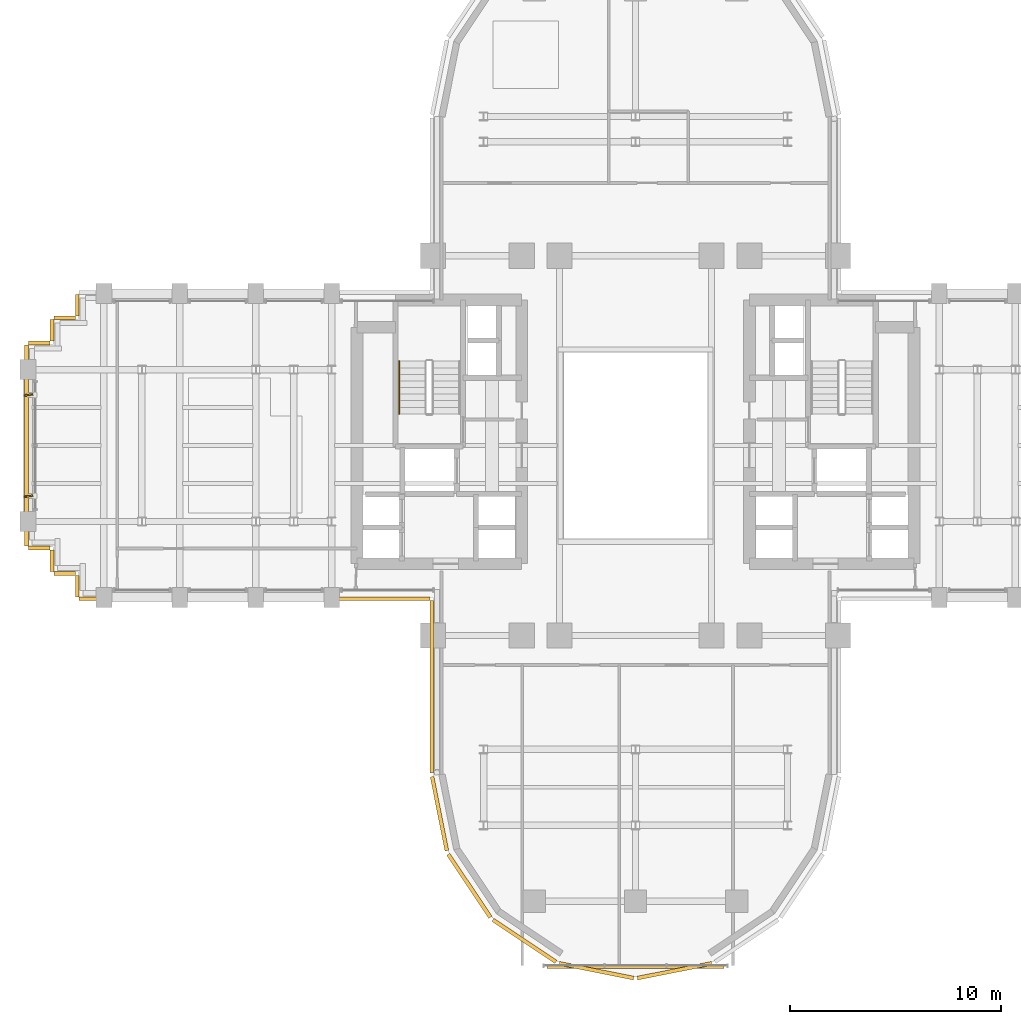
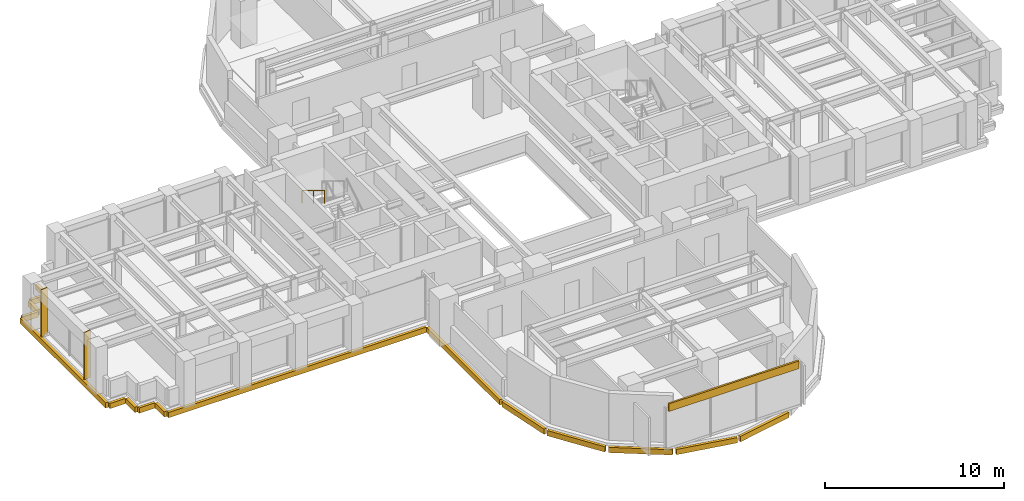
# One storey, part 13 of 16: 17 coverings, 2 shading devices, 1 railing.
"""IFC4 building model written with IfcOpenShell, lengths in metres."""

import ifcopenshell
import ifcopenshell.guid

model = None  # the IFC model being written
_history = None  # IfcOwnerHistory: only IFC2X3 demands one
_inside = {}  # id of a spatial element -> (the spatial element, [elements in it])
_under = {}  # id of a project, library or spatial element -> (it, [spatial elements below it])
_declared = {}  # id of a project -> (the project, [libraries it declares])
_typed = {}  # id of a type object -> (the type object, [elements of that type])
_made_of = {}  # id of a material, layer set ... -> (it, [elements and type objects made of it])


def new_model(schema):
    """Start an empty IFC model of exactly this schema.

    Asked for "IFC4X3", IfcOpenShell would pick the latest addendum, in which some entities
    have other attributes; the version numbers below select the first issue.
    IFC2X3 requires an IfcOwnerHistory on every rooted entity: one is made here for all.
    """
    global model, _history
    if schema == "IFC4X3":
        model = ifcopenshell.file(schema_version=(4, 3, 0, 0))
    else:
        model = ifcopenshell.file(schema=schema)
    _inside.clear()
    _under.clear()
    _declared.clear()
    _typed.clear()
    _made_of.clear()
    _history = None
    if model.schema == "IFC2X3":
        org = make("IfcOrganization", Name="unknown")
        user = make(
            "IfcPersonAndOrganization",
            ThePerson=make("IfcPerson", FamilyName="unknown"),
            TheOrganization=org,
        )
        app = make(
            "IfcApplication",
            ApplicationDeveloper=org,
            Version="unknown",
            ApplicationFullName="unknown",
            ApplicationIdentifier="unknown",
        )
        _history = make(
            "IfcOwnerHistory",
            OwningUser=user,
            OwningApplication=app,
            ChangeAction="ADDED",
            CreationDate=0,
        )
    return model


def make(cls, **values):
    """One entity of the class cls with the attributes given. An attribute that is None is left unset."""
    return model.create_entity(
        cls, **{name: value for name, value in values.items() if value is not None}
    )


def rooted(cls, **values):
    """An entity with a GlobalId (a new one), such as an element, a storey or a relation."""
    return make(cls, GlobalId=ifcopenshell.guid.new(), OwnerHistory=_history, **values)


def si_unit(unit_type, name, prefix=None):
    """IfcSIUnit, for example si_unit("LENGTHUNIT", "METRE", prefix="MILLI")."""
    return make("IfcSIUnit", UnitType=unit_type, Prefix=prefix, Name=name)


def assignment(units):
    """IfcUnitAssignment: the units of a project."""
    return None if units is None else make("IfcUnitAssignment", Units=units)


def point(xyz):
    """IfcCartesianPoint."""
    return None if xyz is None else make("IfcCartesianPoint", Coordinates=xyz)


def direction(xyz):
    """IfcDirection."""
    return None if xyz is None else make("IfcDirection", DirectionRatios=xyz)


def frame(location, z_axis=None, x_axis=None):
    """IfcAxis2Placement3D, a coordinate frame: its origin and axes. An axis left out is left unset."""
    return make(
        "IfcAxis2Placement3D",
        Location=point(location),
        Axis=direction(z_axis),
        RefDirection=direction(x_axis),
    )


def frame_2d(location, x_axis=None):
    """IfcAxis2Placement2D, a coordinate frame in the plane: its origin and x axis."""
    return make(
        "IfcAxis2Placement2D", Location=point(location), RefDirection=direction(x_axis)
    )


def origin():
    """The frame at (0, 0, 0) with its axes left unset."""
    return frame((0.0, 0.0, 0.0))


def origin_2d():
    """The frame at (0, 0) in the plane with its x axis left unset."""
    return frame_2d((0.0, 0.0))


def place(relative_to, where):
    """IfcLocalPlacement: puts the frame where relative to a parent placement (None: the world)."""
    return make(
        "IfcLocalPlacement", PlacementRelTo=relative_to, RelativePlacement=where
    )


def context(
    kind, dimensions, precision=None, world=None, true_north=None, identifier=None
):
    """IfcGeometricRepresentationContext, for example the 3D "Model" context."""
    return make(
        "IfcGeometricRepresentationContext",
        ContextIdentifier=identifier,
        ContextType=kind,
        CoordinateSpaceDimension=dimensions,
        Precision=precision,
        WorldCoordinateSystem=world,
        TrueNorth=true_north,
    )


def subcontext(parent, identifier, kind, view, scale=None):
    """IfcGeometricRepresentationSubContext, for example "Body" below "Model"."""
    return make(
        "IfcGeometricRepresentationSubContext",
        ContextIdentifier=identifier,
        ContextType=kind,
        ParentContext=parent,
        TargetScale=scale,
        TargetView=view,
    )


def project(units=None, contexts=None):
    """IfcProject with its units and contexts."""
    return rooted(
        "IfcProject",
        Name="project",
        RepresentationContexts=contexts,
        UnitsInContext=assignment(units),
    )


def spatial(cls, under=None, at=None, **own):
    """A site, building, storey or space (cls), placed at a placement, below another one or the project."""
    s = rooted(cls, ObjectPlacement=at, **own)
    if under is not None:
        _under.setdefault(under.id(), (under, []))[1].append(s)
    return s


def profile(cls, at=None, kind="AREA", **sizes):
    """A parametric profile (cls). Its sizes go by their IFC names, for example OverallWidth=200.0."""
    return make(cls, ProfileType=kind, Position=at, **sizes)


def rectangle(**sizes):
    """IfcRectangleProfileDef."""
    return profile("IfcRectangleProfileDef", **sizes)


def extrude(swept, where, along, depth):
    """IfcExtrudedAreaSolid: the profile swept, set in the frame where, extruded along a direction by depth."""
    return make(
        "IfcExtrudedAreaSolid",
        SweptArea=swept,
        Position=where,
        ExtrudedDirection=direction(along),
        Depth=depth,
    )


def shape(context_of_items, identifier, shape_type, items):
    """IfcShapeRepresentation: the items that make up one representation, for example the "Body"."""
    return make(
        "IfcShapeRepresentation",
        ContextOfItems=context_of_items,
        RepresentationIdentifier=identifier,
        RepresentationType=shape_type,
        Items=items,
    )


def source(mapping_origin, context_of_items, identifier, shape_type, items):
    """IfcRepresentationMap: a shape defined once, which mapped items show again and again."""
    return make(
        "IfcRepresentationMap",
        MappingOrigin=mapping_origin,
        MappedRepresentation=shape(context_of_items, identifier, shape_type, items),
    )


def transform(
    local_origin,
    x_axis=None,
    y_axis=None,
    z_axis=None,
    scale=None,
    scale2=None,
    scale3=None,
    uniform=True,
):
    """IfcCartesianTransformationOperator3D, or its non-uniform kind. x_axis, y_axis, z_axis: its Axis1, 2, 3."""
    if uniform:
        return make(
            "IfcCartesianTransformationOperator3D",
            Axis1=direction(x_axis),
            Axis2=direction(y_axis),
            LocalOrigin=point(local_origin),
            Scale=scale,
            Axis3=direction(z_axis),
        )
    return make(
        "IfcCartesianTransformationOperator3DnonUniform",
        Axis1=direction(x_axis),
        Axis2=direction(y_axis),
        LocalOrigin=point(local_origin),
        Scale=scale,
        Axis3=direction(z_axis),
        Scale2=scale2,
        Scale3=scale3,
    )


def mapped(mapping_source, mapping_target):
    """IfcMappedItem: shows the shape of a source again, moved by a transform."""
    return make(
        "IfcMappedItem", MappingSource=mapping_source, MappingTarget=mapping_target
    )


def material(Name=None, Category=None):
    """IfcMaterial."""
    return make("IfcMaterial", Name=Name, Category=Category)


def layer(
    of_material, thickness, ventilated=None, Name=None, Category=None, Priority=None
):
    """IfcMaterialLayer: one layer of a wall or slab, of a material (None: an air gap)."""
    return make(
        "IfcMaterialLayer",
        Material=of_material,
        LayerThickness=thickness,
        IsVentilated=ventilated,
        Name=Name,
        Category=Category,
        Priority=Priority,
    )


def layer_set(layers, Name=None):
    """IfcMaterialLayerSet."""
    return make("IfcMaterialLayerSet", MaterialLayers=layers, LayerSetName=Name)


def made_of(thing, what):
    """Note that an element or type object is made of a material, layer set ...; save() writes the relation."""
    if what is not None:
        _made_of.setdefault(what.id(), (what, []))[1].append(thing)
    return thing


def type_object(cls, material=None, **own):
    """A type object (cls), such as IfcWallType, which elements share."""
    return made_of(rooted(cls, **own), material)


def element(
    cls,
    number,
    at=None,
    inside=None,
    cuts=None,
    type_object=None,
    material=None,
    context=None,
    identifier="Body",
    shape_type=None,
    held_by="IfcProductDefinitionShape",
    body=None,
    shapes=None,
    **own,
):
    """One element of the class cls, such as IfcWall. Its Tag is "e" and its number.

    at: its placement. inside: the storey or other place that contains it. cuts: it is an
    opening in that element (IfcRelVoidsElement). A single representation is given by context,
    identifier, shape_type and body (its items); several are given by shapes. held_by: the class
    of the entity that holds the representations. save() writes the other relations.
    """
    e = rooted(cls, Tag="e%d" % number, ObjectPlacement=at, **own)
    if body is not None:
        shapes = [shape(context, identifier, shape_type, body)]
    if shapes is not None:
        e.Representation = make(held_by, Representations=shapes)
    if inside is not None:
        _inside.setdefault(inside.id(), (inside, []))[1].append(e)
    if cuts is not None:
        rooted(
            "IfcRelVoidsElement", RelatingBuildingElement=cuts, RelatedOpeningElement=e
        )
    if type_object is not None:
        _typed.setdefault(type_object.id(), (type_object, []))[1].append(e)
    return made_of(e, material)


def aggregate(whole, parts):
    """IfcRelAggregates: a whole, such as a stair, and the parts it consists of."""
    return rooted("IfcRelAggregates", RelatingObject=whole, RelatedObjects=parts)


def save(model, path):
    """Write the relations noted so far, then the file.

    IfcRelAggregates (storeys below a building ...), IfcRelContainedInSpatialStructure (elements
    in a storey), IfcRelDefinesByType, IfcRelAssociatesMaterial and IfcRelDeclares: one each for
    every whole, place, type object, material and project.
    """
    for whole, parts in _under.values():
        aggregate(whole, parts)
    for where, things in _inside.values():
        rooted(
            "IfcRelContainedInSpatialStructure",
            RelatedElements=things,
            RelatingStructure=where,
        )
    for kind, things in _typed.values():
        rooted("IfcRelDefinesByType", RelatedObjects=things, RelatingType=kind)
    for what, things in _made_of.values():
        rooted("IfcRelAssociatesMaterial", RelatedObjects=things, RelatingMaterial=what)
    for by, libraries in _declared.values():
        rooted("IfcRelDeclares", RelatingContext=by, RelatedDefinitions=libraries)
    model.write(path)


model = new_model("IFC4")

# Units and contexts
model_context = context("Model", 3, precision=1e-05, world=origin(), true_north=direction((0.0, 1.0)))
body_context = subcontext(model_context, "Body", "Model", "MODEL_VIEW")
ifc_project = project(units=[si_unit("LENGTHUNIT", "METRE"), si_unit("AREAUNIT", "SQUARE_METRE"), si_unit("VOLUMEUNIT", "CUBIC_METRE"), si_unit("PLANEANGLEUNIT", "RADIAN"), si_unit("MASSUNIT", "GRAM", prefix="KILO")], contexts=[model_context])

# Site, building, storey
site_placement = place(None, origin())
site = spatial("IfcSite", under=ifc_project, at=site_placement, CompositionType="ELEMENT")
building_placement = place(site_placement, origin())
building = spatial("IfcBuilding", under=site, at=building_placement, Name="Keilestroom Media Tower", CompositionType="ELEMENT")
storey_placement = place(building_placement, frame((0.0, 0.0, 71.39990234375)))
storey = spatial("IfcBuildingStorey", under=building, at=storey_placement, Name="L18", CompositionType="ELEMENT", Elevation=71.39990234375)

# Railing
ifc_material_1 = material(Name="Brushed Stainless Steel 1.4301", Category="steel")
railing_type = type_object("IfcRailingType", Name="Stair-Pitch-Handrail-920", PredefinedType="HANDRAIL", material=ifc_material_1)
railing_placement = place(storey_placement, frame((-11.2099609375, 3.99609375, 1.888916015625)))
element("IfcRailing", 1, at=railing_placement, inside=storey, type_object=railing_type, Name="L18 ST-1 stair handrail 2", PredefinedType="HANDRAIL", context=body_context, shape_type="SweptSolid", body=[
    extrude(rectangle(XDim=0.048095703125, YDim=0.048095703125, at=origin_2d()), frame((0.0, 0.0, 0.8759765625), z_axis=(0.0, -0.855433747314, 0.517912255074), x_axis=(1.0, 0.0, 0.0)), (0.0, 0.0, 1.0), 2.91796875),
    extrude(rectangle(XDim=0.0419921875, YDim=0.0419921875, at=origin_2d()), origin(), (0.0, 0.0, 1.0), 0.84375),
    extrude(rectangle(XDim=0.0419921875, YDim=0.0419921875, at=origin_2d()), frame((0.0, -1.248046875, 0.755615234375)), (0.0, 0.0, 1.0), 0.84375),
    extrude(rectangle(XDim=0.0419921875, YDim=0.0419921875, at=origin_2d()), frame((0.0, -2.49609375, 1.51123046875)), (0.0, 0.0, 1.0), 0.84375),
])

# Covering
ifc_material_2 = material(Name="Precast concrete C40/50", Category="concrete")
ifc_layer = layer(ifc_material_2, 0.1201171875)
ifc_layer_set = layer_set([ifc_layer], Name="Precast concrete C40/50")
covering_type = type_object("IfcCoveringType", Name="Exterior-Precast-Spandrel-Cladding-Panel-120", PredefinedType="CLADDING", material=ifc_layer_set)
shared_shape_1 = source(origin(), body_context, "Body", "SweptSolid", [
    extrude(rectangle(XDim=8.39990234375, YDim=0.1201171875, at=origin_2d()), origin(), (0.0, 0.0, 1.0), 0.52001953125),
])
covering_1_placement = place(storey_placement, frame((0.0, -24.719970703125, 2.690185546875), z_axis=(0.0, 0.0, 1.0), x_axis=(1.0, 0.0, 0.0)))
element("IfcCovering", 2, at=covering_1_placement, inside=storey, type_object=covering_type, Name="L18 Precast Spandrel Cladding S", PredefinedType="CLADDING", context=body_context, shape_type="MappedRepresentation", body=[
    mapped(shared_shape_1, transform((0.0, 0.0, 0.0), x_axis=(1.0, 0.0, 0.0), y_axis=(0.0, 1.0, 0.0), z_axis=(0.0, 0.0, 1.0), scale=1.0)),
])

# Shading devices
ifc_material_3 = material(Name="Bronze Anodised Aluminium", Category="aluminium")
shading_device_type = type_object("IfcShadingDeviceType", Name="Facade-Vertical-Sunshade-Fin-SHD-1", PredefinedType="USERDEFINED", material=ifc_material_3)
shared_shape_2 = source(origin(), body_context, "Body", "SweptSolid", [
    extrude(rectangle(XDim=0.419921875, YDim=0.080078125, at=origin_2d()), origin(), (0.0, 0.0, 1.0), 3.199951171875),
])
for number, where, z_axis, x_axis, name in (
    (3, (-28.77001953125, -2.39990234375, 0.0), (0.0, 0.0, 1.0), (0.990533436751, 0.137271667431, 0.0), "L18 Twisting Sunshade Fin SHD-1 021"),
    (4, (-28.77001953125, 2.39990234375, 0.0), (0.0, 0.0, 1.0), (0.990533436751, 0.137271667431, 0.0), "L18 Twisting Sunshade Fin SHD-1 022"),
):
    element("IfcShadingDevice", number, at=place(storey_placement, frame(where, z_axis=z_axis, x_axis=x_axis)), inside=storey, type_object=shading_device_type, Name=name, ObjectType="SUNSHADE", PredefinedType="USERDEFINED", context=body_context, shape_type="MappedRepresentation", body=[
        mapped(shared_shape_2, transform((0.0, 0.0, 0.0), x_axis=(1.0, 0.0, 0.0), y_axis=(0.0, 1.0, 0.0), z_axis=(0.0, 0.0, 1.0), scale=1.0)),
    ])

# Coverings
shared_shape_3 = source(origin(), body_context, "Body", "SweptSolid", [
    extrude(rectangle(XDim=1.02001953125, YDim=0.179931640625, at=origin_2d()), origin(), (0.0, 0.0, 1.0), 0.360107421875),
])
for number, where, z_axis, x_axis, name in (
    (5, (-26.4599609375, -6.659912109375, -0.5400390625), (0.0, 0.0, 1.0), (0.0, 1.0, 0.0), "L18 Precast Slab-Edge Fascia Cornice 17"),
    (6, (-27.06005859375, -6.06005859375, -0.5400390625), (0.0, 0.0, 1.0), (-1.0, 0.0, 0.0), "L18 Precast Slab-Edge Fascia Cornice 18"),
    (7, (-27.659912109375, -5.4599609375, -0.5400390625), (0.0, 0.0, 1.0), (0.0, 1.0, 0.0), "L18 Precast Slab-Edge Fascia Cornice 19"),
    (8, (-28.260009765625, -4.860107421875, -0.5400390625), (0.0, 0.0, 1.0), (-1.0, 0.0, 0.0), "L18 Precast Slab-Edge Fascia Cornice 20"),
    (9, (-28.260009765625, 4.860107421875, -0.5400390625), (0.0, 0.0, 1.0), (1.0, 0.0, 0.0), "L18 Precast Slab-Edge Fascia Cornice 22"),
    (10, (-27.659912109375, 5.4599609375, -0.5400390625), (0.0, 0.0, 1.0), (0.0, 1.0, 0.0), "L18 Precast Slab-Edge Fascia Cornice 23"),
    (11, (-27.06005859375, 6.06005859375, -0.5400390625), (0.0, 0.0, 1.0), (1.0, 0.0, 0.0), "L18 Precast Slab-Edge Fascia Cornice 24"),
    (12, (-26.4599609375, 6.659912109375, -0.5400390625), (0.0, 0.0, 1.0), (0.0, 1.0, 0.0), "L18 Precast Slab-Edge Fascia Cornice 25"),
):
    element("IfcCovering", number, at=place(storey_placement, frame(where, z_axis=z_axis, x_axis=x_axis)), inside=storey, type_object=covering_type, Name=name, PredefinedType="CLADDING", context=body_context, shape_type="MappedRepresentation", body=[
        mapped(shared_shape_3, transform((0.0, 0.0, 0.0), x_axis=(1.0, 0.0, 0.0), y_axis=(0.0, 1.0, 0.0), z_axis=(0.0, 0.0, 1.0), scale=1.0)),
    ])
shared_shape_4 = source(origin(), body_context, "Body", "SweptSolid", [
    extrude(rectangle(XDim=16.6201171875, YDim=0.179931640625, at=origin_2d()), origin(), (0.0, 0.0, 1.0), 0.360107421875),
])
covering_2_placement = place(storey_placement, frame((-18.06005859375, -7.260009765625, -0.5400390625), z_axis=(0.0, 0.0, 1.0), x_axis=(-1.0, 0.0, 0.0)))
element("IfcCovering", 13, at=covering_2_placement, inside=storey, type_object=covering_type, Name="L18 Precast Slab-Edge Fascia Cornice 16", PredefinedType="CLADDING", context=body_context, shape_type="MappedRepresentation", body=[
    mapped(shared_shape_4, transform((0.0, 0.0, 0.0), x_axis=(1.0, 0.0, 0.0), y_axis=(0.0, 1.0, 0.0), z_axis=(0.0, 0.0, 1.0), scale=1.0)),
])
shared_shape_5 = source(origin(), body_context, "Body", "SweptSolid", [
    extrude(rectangle(XDim=8.166015625, YDim=0.179931640625, at=origin_2d()), origin(), (0.0, 0.0, 1.0), 0.360107421875),
])
covering_3_placement = place(storey_placement, frame((-9.659912109375, -11.43310546875, -0.5400390625), z_axis=(0.0, 0.0, 1.0), x_axis=(0.0, 1.0, 0.0)))
element("IfcCovering", 14, at=covering_3_placement, inside=storey, type_object=covering_type, Name="L18 Precast Slab-Edge Fascia Cornice 15", PredefinedType="CLADDING", context=body_context, shape_type="MappedRepresentation", body=[
    mapped(shared_shape_5, transform((0.0, 0.0, 0.0), x_axis=(1.0, 0.0, 0.0), y_axis=(0.0, 1.0, 0.0), z_axis=(0.0, 0.0, 1.0), scale=1.0)),
])
shared_shape_6 = source(origin(), body_context, "Body", "SweptSolid", [
    extrude(rectangle(XDim=3.58349609375, YDim=0.179931640625, at=origin_2d()), origin(), (0.0, 0.0, 1.0), 0.360107421875),
])
covering_4_placement = place(storey_placement, frame((-9.29296875, -17.45166015625, -0.5400390625), z_axis=(0.0, 0.0, 1.0), x_axis=(-0.195098880975, 0.980783577882, 0.0)))
element("IfcCovering", 15, at=covering_4_placement, inside=storey, type_object=covering_type, Name="L18 Precast Slab-Edge Fascia Cornice 14", PredefinedType="CLADDING", context=body_context, shape_type="MappedRepresentation", body=[
    mapped(shared_shape_6, transform((0.0, 0.0, 0.0), x_axis=(1.0, 0.0, 0.0), y_axis=(0.0, 1.0, 0.0), z_axis=(0.0, 0.0, 1.0), scale=1.0)),
])
shared_shape_7 = source(origin(), body_context, "Body", "SweptSolid", [
    extrude(rectangle(XDim=3.589599609375, YDim=0.179931640625, at=origin_2d()), origin(), (0.0, 0.0, 1.0), 0.360107421875),
])
for number, where, z_axis, x_axis, name in (
    (16, (1.8486328125, -24.893310546875, -0.5400390625), (0.0, 0.0, 1.0), (-0.980783577882, -0.195098880975, 0.0), "L18 Precast Slab-Edge Fascia Cornice 10"),
    (17, (-1.8486328125, -24.893310546875, -0.5400390625), (0.0, 0.0, 1.0), (-0.980783577882, 0.195098880975, 0.0), "L18 Precast Slab-Edge Fascia Cornice 11"),
    (18, (-5.264404296875, -23.478515625, -0.5400390625), (0.0, 0.0, 1.0), (-0.831466703332, 0.555574586577, 0.0), "L18 Precast Slab-Edge Fascia Cornice 12"),
    (19, (-7.878662109375, -20.8642578125, -0.5400390625), (0.0, 0.0, 1.0), (-0.555574586577, 0.831466703332, 0.0), "L18 Precast Slab-Edge Fascia Cornice 13"),
):
    element("IfcCovering", number, at=place(storey_placement, frame(where, z_axis=z_axis, x_axis=x_axis)), inside=storey, type_object=covering_type, Name=name, PredefinedType="CLADDING", context=body_context, shape_type="MappedRepresentation", body=[
        mapped(shared_shape_7, transform((0.0, 0.0, 0.0), x_axis=(1.0, 0.0, 0.0), y_axis=(0.0, 1.0, 0.0), z_axis=(0.0, 0.0, 1.0), scale=1.0)),
    ])
shared_shape_8 = source(origin(), body_context, "Body", "SweptSolid", [
    extrude(rectangle(XDim=9.5400390625, YDim=0.179931640625, at=origin_2d()), origin(), (0.0, 0.0, 1.0), 0.360107421875),
])
covering_5_placement = place(storey_placement, frame((-28.860107421875, 0.0, -0.5400390625), z_axis=(0.0, 0.0, 1.0), x_axis=(0.0, 1.0, 0.0)))
element("IfcCovering", 20, at=covering_5_placement, inside=storey, type_object=covering_type, Name="L18 Precast Slab-Edge Fascia Cornice 21", PredefinedType="CLADDING", context=body_context, shape_type="MappedRepresentation", body=[
    mapped(shared_shape_8, transform((0.0, 0.0, 0.0), x_axis=(1.0, 0.0, 0.0), y_axis=(0.0, 1.0, 0.0), z_axis=(0.0, 0.0, 1.0), scale=1.0)),
])

save(model, "model.ifc")
